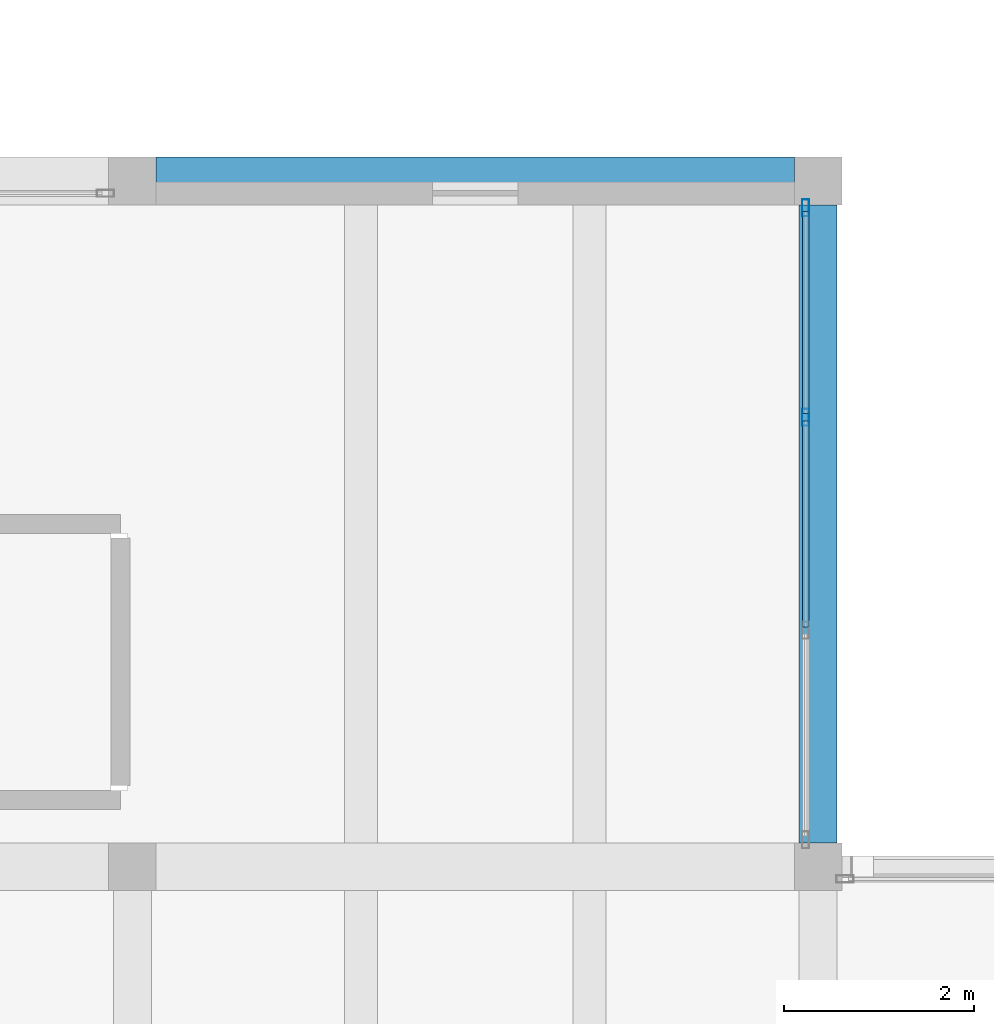
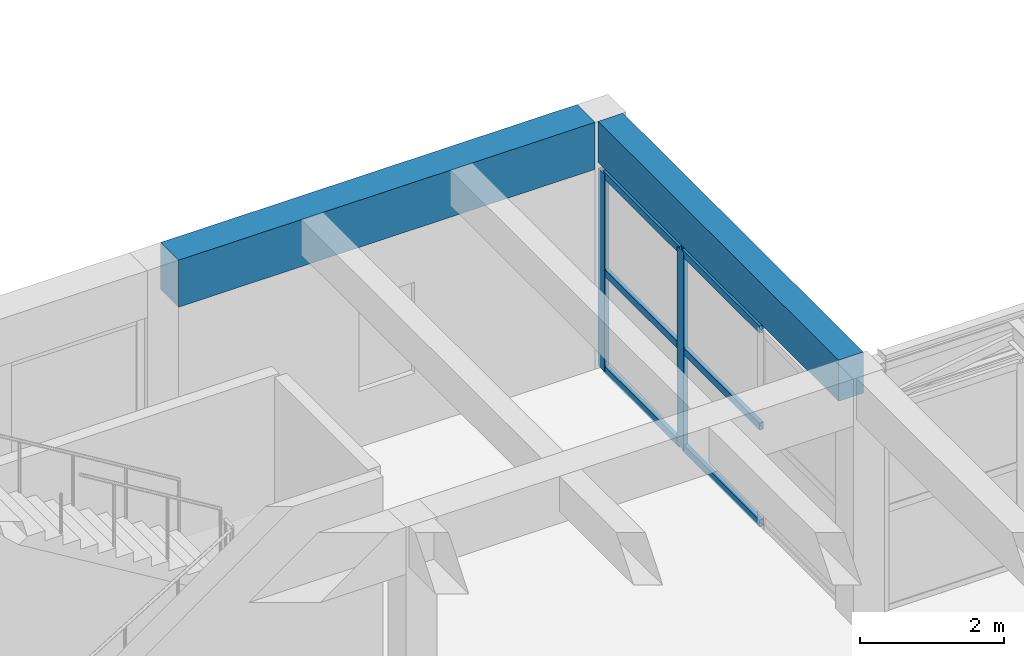
# One storey, part 20 of 153: 8 members, 2 beams, 1 element without a shape of its own.
"""IFC4 building model written with IfcOpenShell, lengths in metres."""

from ifc_helpers import new_model, si_unit, direction, frame, origin, origin_2d, place, context, subcontext, project, spatial, rectangle, hollow_rectangle, extrude, material, material_profile, profile_set, type_object, element, aggregate, save


model = new_model("IFC4")

# Units and contexts
model_context = context("Model", 3, precision=1e-05, world=origin(), true_north=direction((0.0, 1.0)))
body_context = subcontext(model_context, "Body", "Model", "MODEL_VIEW")
ifc_project = project(units=[si_unit("LENGTHUNIT", "METRE"), si_unit("AREAUNIT", "SQUARE_METRE"), si_unit("VOLUMEUNIT", "CUBIC_METRE"), si_unit("PLANEANGLEUNIT", "RADIAN"), si_unit("MASSUNIT", "GRAM", prefix="KILO")], contexts=[model_context])

# Site, building, storey
site_placement = place(None, origin())
site = spatial("IfcSite", under=ifc_project, at=site_placement, CompositionType="ELEMENT")
building_placement = place(site_placement, origin())
building = spatial("IfcBuilding", under=site, at=building_placement, Name="Bramvelor Terrace Health Centre", CompositionType="ELEMENT")
storey_placement = place(building_placement, frame((0.0, 0.0, 4.800048828125)))
storey = spatial("IfcBuildingStorey", under=building, at=storey_placement, Name="L02", CompositionType="ELEMENT", Elevation=4.800048828125)

# Beams
ifc_material_1 = material(Name="Concrete C40/50", Category="concrete")
ifc_material_profile_1 = material_profile(ifc_material_1, rectangle(XDim=0.39990234375, YDim=0.699951171875, at=origin_2d()), Name="RC 400x700")
ifc_profile_set_1 = profile_set([ifc_material_profile_1], Name="Concrete C40/50")
beam_type_1 = type_object("IfcBeamType", Name="BM-RC-G700", PredefinedType="BEAM", material=ifc_profile_set_1)
beam_1_placement = place(storey_placement, frame((28.800048828125, 57.85009765625, 3.849853515625), z_axis=(0.0, 1.0, 0.0), x_axis=(-1.0, 0.0, 0.0)))
element("IfcBeam", 1, at=beam_1_placement, inside=storey, type_object=beam_type_1, Name="L02 Floor Girder", PredefinedType="BEAM", context=body_context, shape_type="SweptSolid", body=[
    extrude(rectangle(XDim=0.39990234375, YDim=0.699951171875, at=origin_2d()), origin(), (0.0, 0.0, 1.0), 6.699951171875),
])
ifc_material_2 = material(Name="Concrete C40/50", Category="concrete")
ifc_material_profile_2 = material_profile(ifc_material_2, rectangle(XDim=0.5, YDim=0.800048828125, at=origin_2d()), Name="RC 500x800")
ifc_profile_set_2 = profile_set([ifc_material_profile_2], Name="Concrete C40/50")
beam_type_2 = type_object("IfcBeamType", Name="BM-RC-G800", PredefinedType="BEAM", material=ifc_profile_set_2)
beam_2_placement = place(storey_placement, frame((21.85009765625, 64.800048828125, 3.800048828125), z_axis=(1.0, 0.0, 0.0), x_axis=(0.0, 1.0, 0.0)))
element("IfcBeam", 2, at=beam_2_placement, inside=storey, type_object=beam_type_2, Name="L02 Floor Girder", PredefinedType="BEAM", context=body_context, shape_type="SweptSolid", body=[
    extrude(rectangle(XDim=0.5, YDim=0.800048828125, at=origin_2d()), origin(), (0.0, 0.0, 1.0), 6.699951171875),
])

# Curtain wall, members
ifc_material_3 = material(Name="Anodized aluminium and double low-E glass", Category="aluminium")
curtain_wall_type = type_object("IfcCurtainWallType", Name="CW-SYS-16", PredefinedType="NOTDEFINED", material=ifc_material_3)
curtain_wall_placement = place(storey_placement, origin())
curtain_wall = element("IfcCurtainWall", 3, at=curtain_wall_placement, inside=storey, type_object=curtain_wall_type, Name="L02 Unitized Curtain Wall 130", PredefinedType="NOTDEFINED")
ifc_material_4 = material(Name="Anodized aluminium 6063-T6", Category="aluminium")
ifc_material_profile_3 = material_profile(ifc_material_4, hollow_rectangle(XDim=0.074951171875, YDim=0.179931640625, WallThickness=0.00341796875, at=origin_2d()), Name="ALU-MUL 75x180x3.5")
ifc_profile_set_3 = profile_set([ifc_material_profile_3], Name="Anodized aluminium 6063-T6")
member_type_1 = type_object("IfcMemberType", Name="CW-MUL-65x180", PredefinedType="MULLION", material=ifc_profile_set_3)
member_1_placement = place(storey_placement, frame((28.669921875, 64.517578125, 0.0), z_axis=(0.0, 0.0, 1.0), x_axis=(1.0, 0.0, 0.0)))
member_1 = element("IfcMember", 4, at=member_1_placement, type_object=member_type_1, Name="CW-16 mullion 1", PredefinedType="MULLION", context=body_context, shape_type="SweptSolid", body=[
    extrude(hollow_rectangle(XDim=0.074951171875, YDim=0.179931640625, WallThickness=0.00341796875, at=origin_2d()), origin(), (0.0, 0.0, 1.0), 3.35986328125),
])
member_2_placement = place(storey_placement, frame((28.669921875, 62.318359375, 0.0), z_axis=(0.0, 0.0, 1.0), x_axis=(1.0, 0.0, 0.0)))
member_2 = element("IfcMember", 5, at=member_2_placement, type_object=member_type_1, Name="CW-16 mullion 2", PredefinedType="MULLION", context=body_context, shape_type="SweptSolid", body=[
    extrude(hollow_rectangle(XDim=0.074951171875, YDim=0.179931640625, WallThickness=0.00341796875, at=origin_2d()), origin(), (0.0, 0.0, 1.0), 3.35986328125),
])
ifc_material_5 = material(Name="Anodized aluminium 6063-T6", Category="aluminium")
ifc_material_profile_4 = material_profile(ifc_material_5, hollow_rectangle(XDim=0.06494140625, YDim=0.1201171875, WallThickness=0.0029296875, at=origin_2d()), Name="ALU-TRN 65x120x3.0")
ifc_profile_set_4 = profile_set([ifc_material_profile_4], Name="Anodized aluminium 6063-T6")
member_type_2 = type_object("IfcMemberType", Name="CW-TRN-65x150", PredefinedType="USERDEFINED", material=ifc_profile_set_4)
member_3_placement = place(storey_placement, frame((28.669921875, 64.47998046875, 0.032470703125), z_axis=(0.0, -1.0, 0.0), x_axis=(1.0, 0.0, 0.0)))
member_3 = element("IfcMember", 6, at=member_3_placement, type_object=member_type_2, Name="CW-16 transom 1.1", ObjectType="TRANSOM", PredefinedType="USERDEFINED", context=body_context, shape_type="SweptSolid", body=[
    extrude(hollow_rectangle(XDim=0.06494140625, YDim=0.1201171875, WallThickness=0.0029296875, at=origin_2d()), origin(), (0.0, 0.0, 1.0), 2.124267578125),
])
member_4_placement = place(storey_placement, frame((28.669921875, 64.47998046875, 1.679931640625), z_axis=(0.0, -1.0, 0.0), x_axis=(1.0, 0.0, 0.0)))
member_4 = element("IfcMember", 7, at=member_4_placement, type_object=member_type_2, Name="CW-16 transom 1.2", ObjectType="TRANSOM", PredefinedType="USERDEFINED", context=body_context, shape_type="SweptSolid", body=[
    extrude(hollow_rectangle(XDim=0.06494140625, YDim=0.1201171875, WallThickness=0.0029296875, at=origin_2d()), origin(), (0.0, 0.0, 1.0), 2.124267578125),
])
member_5_placement = place(storey_placement, frame((28.669921875, 64.47998046875, 3.327392578125), z_axis=(0.0, -1.0, 0.0), x_axis=(1.0, 0.0, 0.0)))
member_5 = element("IfcMember", 8, at=member_5_placement, type_object=member_type_2, Name="CW-16 transom 1.3", ObjectType="TRANSOM", PredefinedType="USERDEFINED", context=body_context, shape_type="SweptSolid", body=[
    extrude(hollow_rectangle(XDim=0.06494140625, YDim=0.1201171875, WallThickness=0.0029296875, at=origin_2d()), origin(), (0.0, 0.0, 1.0), 2.124267578125),
])
member_6_placement = place(storey_placement, frame((28.669921875, 62.28076171875, 0.032470703125), z_axis=(0.0, -1.0, 0.0), x_axis=(1.0, 0.0, 0.0)))
member_6 = element("IfcMember", 9, at=member_6_placement, type_object=member_type_2, Name="CW-16 transom 2.1", ObjectType="TRANSOM", PredefinedType="USERDEFINED", context=body_context, shape_type="SweptSolid", body=[
    extrude(hollow_rectangle(XDim=0.06494140625, YDim=0.1201171875, WallThickness=0.0029296875, at=origin_2d()), origin(), (0.0, 0.0, 1.0), 2.16162109375),
])
member_7_placement = place(storey_placement, frame((28.669921875, 62.28076171875, 1.679931640625), z_axis=(0.0, -1.0, 0.0), x_axis=(1.0, 0.0, 0.0)))
member_7 = element("IfcMember", 10, at=member_7_placement, type_object=member_type_2, Name="CW-16 transom 2.2", ObjectType="TRANSOM", PredefinedType="USERDEFINED", context=body_context, shape_type="SweptSolid", body=[
    extrude(hollow_rectangle(XDim=0.06494140625, YDim=0.1201171875, WallThickness=0.0029296875, at=origin_2d()), origin(), (0.0, 0.0, 1.0), 2.16162109375),
])
member_8_placement = place(storey_placement, frame((28.669921875, 62.28076171875, 3.327392578125), z_axis=(0.0, -1.0, 0.0), x_axis=(1.0, 0.0, 0.0)))
member_8 = element("IfcMember", 11, at=member_8_placement, type_object=member_type_2, Name="CW-16 transom 2.3", ObjectType="TRANSOM", PredefinedType="USERDEFINED", context=body_context, shape_type="SweptSolid", body=[
    extrude(hollow_rectangle(XDim=0.06494140625, YDim=0.1201171875, WallThickness=0.0029296875, at=origin_2d()), origin(), (0.0, 0.0, 1.0), 2.16162109375),
])
aggregate(curtain_wall, [member_1, member_2, member_3, member_4, member_5, member_6, member_7, member_8])

save(model, "model.ifc")
